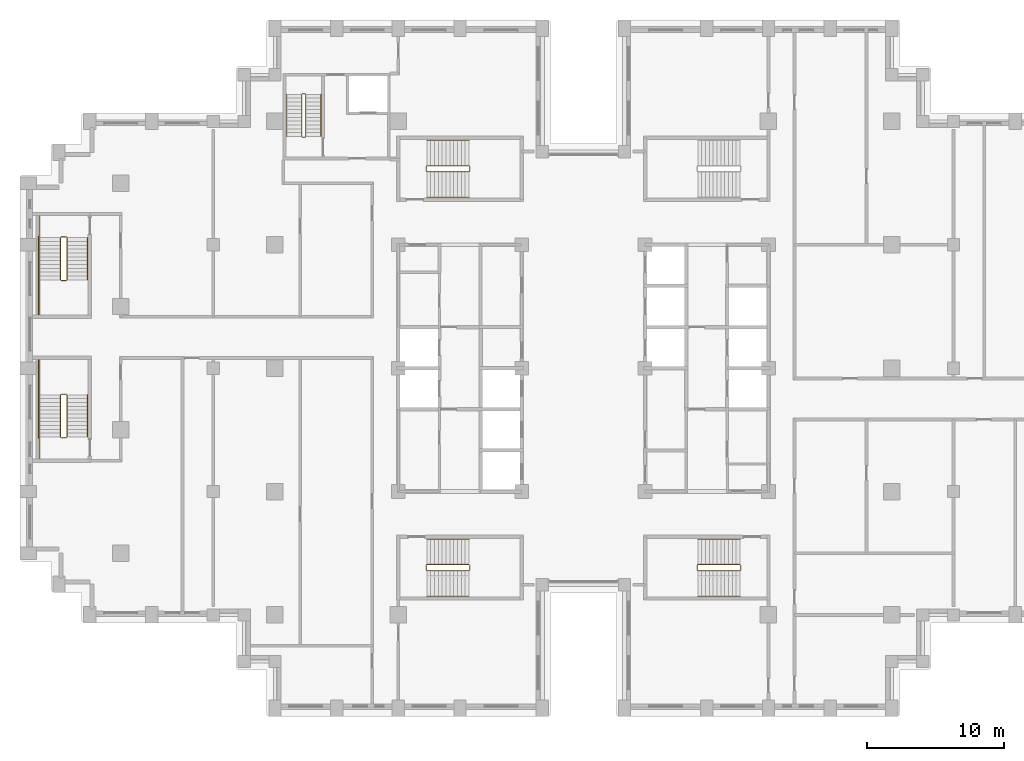
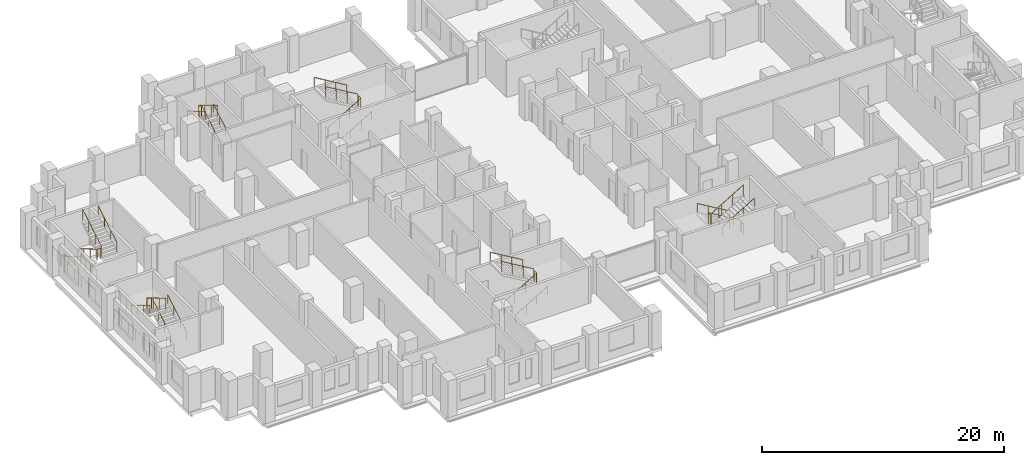
# One storey, part 15 of 16: 6 railings.
"""IFC4 building model written with IfcOpenShell, lengths in metres."""

from ifc_helpers import new_model, si_unit, direction, frame, origin, origin_2d, place, context, subcontext, project, spatial, circle, extrude, material, type_object, element, save


model = new_model("IFC4")

# Units and contexts
model_context = context("Model", 3, precision=1e-05, world=origin(), true_north=direction((0.0, 1.0)))
body_context = subcontext(model_context, "Body", "Model", "MODEL_VIEW")
ifc_project = project(units=[si_unit("LENGTHUNIT", "METRE"), si_unit("AREAUNIT", "SQUARE_METRE"), si_unit("VOLUMEUNIT", "CUBIC_METRE"), si_unit("PLANEANGLEUNIT", "RADIAN"), si_unit("MASSUNIT", "GRAM", prefix="KILO")], contexts=[model_context])

# Site, building, storey
site_placement = place(None, origin())
site = spatial("IfcSite", under=ifc_project, at=site_placement, CompositionType="ELEMENT")
building_placement = place(site_placement, origin())
building = spatial("IfcBuilding", under=site, at=building_placement, Name="Corbelhall Arena Tower", CompositionType="ELEMENT")
storey_placement = place(building_placement, frame((0.0, 0.0, 104.0)))
storey = spatial("IfcBuildingStorey", under=building, at=storey_placement, Name="L18", CompositionType="ELEMENT", Elevation=104.0)

# Railings
ifc_material = material(Name="Steel ASTM A500 Gr C", Category="steel")
railing_type = type_object("IfcRailingType", Name="IN-GD-1100", PredefinedType="GUARDRAIL", material=ifc_material)
railing_1_placement = place(storey_placement, frame((-11.425048828125, 14.324951171875, 0.166748046875)))
element("IfcRailing", 1, at=railing_1_placement, inside=storey, type_object=railing_type, Name="L18 ST1 stair guards and handrails", PredefinedType="GUARDRAIL", context=body_context, shape_type="SweptSolid", body=[
    extrude(circle(Radius=0.02392578125, at=origin_2d()), frame((0.0, 0.0, 1.076171875), z_axis=(0.859308565015, 0.0, 0.511457515432), x_axis=(0.0, 1.0, 0.0)), (0.0, 0.0, 1.0), 3.58447265625),
    extrude(circle(Radius=0.02392578125, at=origin_2d()), frame((3.130126953125, 0.050048828125, 2.9091796875), z_axis=(0.0, 1.0, 0.0), x_axis=(-1.0, 0.0, 0.0)), (0.0, 0.0, 1.0), 0.35009765625),
    extrude(circle(Radius=0.02392578125, at=origin_2d()), frame((3.080078125, 0.449951171875, 3.076171875), z_axis=(-0.859308565015, 0.0, 0.511457515432), x_axis=(0.0, -1.0, 0.0)), (0.0, 0.0, 1.0), 3.58447265625),
    extrude(circle(Radius=0.02392578125, at=origin_2d()), frame((-0.050048828125, 0.050048828125, 0.9091796875), z_axis=(0.0, 1.0, 0.0), x_axis=(-1.0, 0.0, 0.0)), (0.0, 0.0, 1.0), 0.35009765625),
    extrude(circle(Radius=0.02392578125, at=origin_2d()), frame((0.0, -1.849853515625, 0.8759765625), z_axis=(0.859308565015, 0.0, 0.511457515432), x_axis=(0.0, 1.0, 0.0)), (0.0, 0.0, 1.0), 3.58447265625),
    extrude(circle(Radius=0.02392578125, at=origin_2d()), frame((3.080078125, 2.300048828125, 2.8759765625), z_axis=(-0.859308565015, 0.0, 0.511457515432), x_axis=(0.0, -1.0, 0.0)), (0.0, 0.0, 1.0), 3.58447265625),
    extrude(circle(Radius=0.02099609375, at=origin_2d()), origin(), (0.0, 0.0, 1.0), 1.052001953125),
    extrude(circle(Radius=0.02099609375, at=origin_2d()), frame((1.026611328125, 0.0, 0.611083984375)), (0.0, 0.0, 1.0), 1.052001953125),
    extrude(circle(Radius=0.02099609375, at=origin_2d()), frame((2.053466796875, 0.0, 1.22216796875)), (0.0, 0.0, 1.0), 1.052001953125),
    extrude(circle(Radius=0.02099609375, at=origin_2d()), frame((3.080078125, 0.0, 1.833251953125)), (0.0, 0.0, 1.0), 1.052001953125),
    extrude(circle(Radius=0.02099609375, at=origin_2d()), frame((3.130126953125, 0.050048828125, 1.833251953125)), (0.0, 0.0, 1.0), 1.052001953125),
    extrude(circle(Radius=0.02099609375, at=origin_2d()), frame((3.130126953125, 0.400146484375, 1.833251953125)), (0.0, 0.0, 1.0), 1.052001953125),
    extrude(circle(Radius=0.02099609375, at=origin_2d()), frame((3.080078125, 0.449951171875, 2.0)), (0.0, 0.0, 1.0), 1.052001953125),
    extrude(circle(Radius=0.02099609375, at=origin_2d()), frame((2.053466796875, 0.449951171875, 2.611083984375)), (0.0, 0.0, 1.0), 1.052001953125),
    extrude(circle(Radius=0.02099609375, at=origin_2d()), frame((1.026611328125, 0.449951171875, 3.22216796875)), (0.0, 0.0, 1.0), 1.052001953125),
    extrude(circle(Radius=0.02099609375, at=origin_2d()), frame((0.0, 0.449951171875, 3.833251953125)), (0.0, 0.0, 1.0), 1.052001953125),
    extrude(circle(Radius=0.02099609375, at=origin_2d()), frame((-0.050048828125, 0.050048828125, -0.166748046875)), (0.0, 0.0, 1.0), 1.052001953125),
    extrude(circle(Radius=0.02099609375, at=origin_2d()), frame((-0.050048828125, 0.400146484375, -0.166748046875)), (0.0, 0.0, 1.0), 1.052001953125),
    extrude(circle(Radius=0.02099609375, at=origin_2d()), frame((0.0, -1.849853515625, 0.0)), (0.0, 0.0, 1.0), 0.851806640625),
    extrude(circle(Radius=0.02099609375, at=origin_2d()), frame((1.026611328125, -1.849853515625, 0.611083984375)), (0.0, 0.0, 1.0), 0.851806640625),
    extrude(circle(Radius=0.02099609375, at=origin_2d()), frame((2.053466796875, -1.849853515625, 1.22216796875)), (0.0, 0.0, 1.0), 0.851806640625),
    extrude(circle(Radius=0.02099609375, at=origin_2d()), frame((3.080078125, -1.849853515625, 1.833251953125)), (0.0, 0.0, 1.0), 0.851806640625),
    extrude(circle(Radius=0.02099609375, at=origin_2d()), frame((3.080078125, 2.300048828125, 2.0)), (0.0, 0.0, 1.0), 0.851806640625),
    extrude(circle(Radius=0.02099609375, at=origin_2d()), frame((2.053466796875, 2.300048828125, 2.611083984375)), (0.0, 0.0, 1.0), 0.851806640625),
    extrude(circle(Radius=0.02099609375, at=origin_2d()), frame((1.026611328125, 2.300048828125, 3.22216796875)), (0.0, 0.0, 1.0), 0.851806640625),
    extrude(circle(Radius=0.02099609375, at=origin_2d()), frame((0.0, 2.300048828125, 3.833251953125)), (0.0, 0.0, 1.0), 0.851806640625),
])
railing_2_placement = place(storey_placement, frame((-11.425048828125, -14.77490234375, 0.166748046875)))
element("IfcRailing", 2, at=railing_2_placement, inside=storey, type_object=railing_type, Name="L18 ST2 stair guards and handrails", PredefinedType="GUARDRAIL", context=body_context, shape_type="SweptSolid", body=[
    extrude(circle(Radius=0.02392578125, at=origin_2d()), frame((0.0, 0.0, 1.076171875), z_axis=(0.859308565015, 0.0, 0.511457515432), x_axis=(0.0, 1.0, 0.0)), (0.0, 0.0, 1.0), 3.58447265625),
    extrude(circle(Radius=0.02392578125, at=origin_2d()), frame((3.130126953125, 0.0498046875, 2.9091796875), z_axis=(0.0, 1.0, 0.0), x_axis=(-1.0, 0.0, 0.0)), (0.0, 0.0, 1.0), 0.35009765625),
    extrude(circle(Radius=0.02392578125, at=origin_2d()), frame((3.080078125, 0.449951171875, 3.076171875), z_axis=(-0.859308565015, 0.0, 0.511457515432), x_axis=(0.0, -1.0, 0.0)), (0.0, 0.0, 1.0), 3.58447265625),
    extrude(circle(Radius=0.02392578125, at=origin_2d()), frame((-0.050048828125, 0.0498046875, 0.9091796875), z_axis=(0.0, 1.0, 0.0), x_axis=(-1.0, 0.0, 0.0)), (0.0, 0.0, 1.0), 0.35009765625),
    extrude(circle(Radius=0.02392578125, at=origin_2d()), frame((0.0, -1.85009765625, 0.8759765625), z_axis=(0.859308565015, 0.0, 0.511457515432), x_axis=(0.0, 1.0, 0.0)), (0.0, 0.0, 1.0), 3.58447265625),
    extrude(circle(Radius=0.02392578125, at=origin_2d()), frame((3.080078125, 2.2998046875, 2.8759765625), z_axis=(-0.859308565015, 0.0, 0.511457515432), x_axis=(0.0, -1.0, 0.0)), (0.0, 0.0, 1.0), 3.58447265625),
    extrude(circle(Radius=0.02099609375, at=origin_2d()), origin(), (0.0, 0.0, 1.0), 1.052001953125),
    extrude(circle(Radius=0.02099609375, at=origin_2d()), frame((1.026611328125, 0.0, 0.611083984375)), (0.0, 0.0, 1.0), 1.052001953125),
    extrude(circle(Radius=0.02099609375, at=origin_2d()), frame((2.053466796875, 0.0, 1.22216796875)), (0.0, 0.0, 1.0), 1.052001953125),
    extrude(circle(Radius=0.02099609375, at=origin_2d()), frame((3.080078125, 0.0, 1.833251953125)), (0.0, 0.0, 1.0), 1.052001953125),
    extrude(circle(Radius=0.02099609375, at=origin_2d()), frame((3.130126953125, 0.0498046875, 1.833251953125)), (0.0, 0.0, 1.0), 1.052001953125),
    extrude(circle(Radius=0.02099609375, at=origin_2d()), frame((3.130126953125, 0.39990234375, 1.833251953125)), (0.0, 0.0, 1.0), 1.052001953125),
    extrude(circle(Radius=0.02099609375, at=origin_2d()), frame((3.080078125, 0.449951171875, 2.0)), (0.0, 0.0, 1.0), 1.052001953125),
    extrude(circle(Radius=0.02099609375, at=origin_2d()), frame((2.053466796875, 0.449951171875, 2.611083984375)), (0.0, 0.0, 1.0), 1.052001953125),
    extrude(circle(Radius=0.02099609375, at=origin_2d()), frame((1.026611328125, 0.449951171875, 3.22216796875)), (0.0, 0.0, 1.0), 1.052001953125),
    extrude(circle(Radius=0.02099609375, at=origin_2d()), frame((0.0, 0.449951171875, 3.833251953125)), (0.0, 0.0, 1.0), 1.052001953125),
    extrude(circle(Radius=0.02099609375, at=origin_2d()), frame((-0.050048828125, 0.0498046875, -0.166748046875)), (0.0, 0.0, 1.0), 1.052001953125),
    extrude(circle(Radius=0.02099609375, at=origin_2d()), frame((-0.050048828125, 0.39990234375, -0.166748046875)), (0.0, 0.0, 1.0), 1.052001953125),
    extrude(circle(Radius=0.02099609375, at=origin_2d()), frame((0.0, -1.85009765625, 0.0)), (0.0, 0.0, 1.0), 0.851806640625),
    extrude(circle(Radius=0.02099609375, at=origin_2d()), frame((1.026611328125, -1.85009765625, 0.611083984375)), (0.0, 0.0, 1.0), 0.851806640625),
    extrude(circle(Radius=0.02099609375, at=origin_2d()), frame((2.053466796875, -1.85009765625, 1.22216796875)), (0.0, 0.0, 1.0), 0.851806640625),
    extrude(circle(Radius=0.02099609375, at=origin_2d()), frame((3.080078125, -1.85009765625, 1.833251953125)), (0.0, 0.0, 1.0), 0.851806640625),
    extrude(circle(Radius=0.02099609375, at=origin_2d()), frame((3.080078125, 2.2998046875, 2.0)), (0.0, 0.0, 1.0), 0.851806640625),
    extrude(circle(Radius=0.02099609375, at=origin_2d()), frame((2.053466796875, 2.2998046875, 2.611083984375)), (0.0, 0.0, 1.0), 0.851806640625),
    extrude(circle(Radius=0.02099609375, at=origin_2d()), frame((1.026611328125, 2.2998046875, 3.22216796875)), (0.0, 0.0, 1.0), 0.851806640625),
    extrude(circle(Radius=0.02099609375, at=origin_2d()), frame((0.0, 2.2998046875, 3.833251953125)), (0.0, 0.0, 1.0), 0.851806640625),
])
railing_3_placement = place(storey_placement, frame((11.425048828125, -14.324951171875, 0.166748046875)))
element("IfcRailing", 3, at=railing_3_placement, inside=storey, type_object=railing_type, Name="L18 ST4 stair guards and handrails", PredefinedType="GUARDRAIL", context=body_context, shape_type="SweptSolid", body=[
    extrude(circle(Radius=0.02392578125, at=origin_2d()), frame((0.0, 0.0, 1.076171875), z_axis=(-0.859308565015, 0.0, 0.511457515432), x_axis=(0.0, -1.0, 0.0)), (0.0, 0.0, 1.0), 3.58447265625),
    extrude(circle(Radius=0.02392578125, at=origin_2d()), frame((-3.130126953125, -0.050048828125, 2.9091796875), z_axis=(0.0, -1.0, 0.0), x_axis=(1.0, 0.0, 0.0)), (0.0, 0.0, 1.0), 0.35009765625),
    extrude(circle(Radius=0.02392578125, at=origin_2d()), frame((-3.080078125, -0.449951171875, 3.076171875), z_axis=(0.859308565015, 0.0, 0.511457515432), x_axis=(0.0, 1.0, 0.0)), (0.0, 0.0, 1.0), 3.58447265625),
    extrude(circle(Radius=0.02392578125, at=origin_2d()), frame((0.050048828125, -0.050048828125, 0.9091796875), z_axis=(0.0, -1.0, 0.0), x_axis=(1.0, 0.0, 0.0)), (0.0, 0.0, 1.0), 0.35009765625),
    extrude(circle(Radius=0.02392578125, at=origin_2d()), frame((0.0, 1.849853515625, 0.8759765625), z_axis=(-0.859308565015, 0.0, 0.511457515432), x_axis=(0.0, -1.0, 0.0)), (0.0, 0.0, 1.0), 3.58447265625),
    extrude(circle(Radius=0.02392578125, at=origin_2d()), frame((-3.080078125, -2.300048828125, 2.8759765625), z_axis=(0.859308565015, 0.0, 0.511457515432), x_axis=(0.0, 1.0, 0.0)), (0.0, 0.0, 1.0), 3.58447265625),
    extrude(circle(Radius=0.02099609375, at=origin_2d()), origin(), (0.0, 0.0, 1.0), 1.052001953125),
    extrude(circle(Radius=0.02099609375, at=origin_2d()), frame((-1.026611328125, 0.0, 0.611083984375)), (0.0, 0.0, 1.0), 1.052001953125),
    extrude(circle(Radius=0.02099609375, at=origin_2d()), frame((-2.053466796875, 0.0, 1.22216796875)), (0.0, 0.0, 1.0), 1.052001953125),
    extrude(circle(Radius=0.02099609375, at=origin_2d()), frame((-3.080078125, 0.0, 1.833251953125)), (0.0, 0.0, 1.0), 1.052001953125),
    extrude(circle(Radius=0.02099609375, at=origin_2d()), frame((-3.130126953125, -0.050048828125, 1.833251953125)), (0.0, 0.0, 1.0), 1.052001953125),
    extrude(circle(Radius=0.02099609375, at=origin_2d()), frame((-3.130126953125, -0.400146484375, 1.833251953125)), (0.0, 0.0, 1.0), 1.052001953125),
    extrude(circle(Radius=0.02099609375, at=origin_2d()), frame((-3.080078125, -0.449951171875, 2.0)), (0.0, 0.0, 1.0), 1.052001953125),
    extrude(circle(Radius=0.02099609375, at=origin_2d()), frame((-2.053466796875, -0.449951171875, 2.611083984375)), (0.0, 0.0, 1.0), 1.052001953125),
    extrude(circle(Radius=0.02099609375, at=origin_2d()), frame((-1.026611328125, -0.449951171875, 3.22216796875)), (0.0, 0.0, 1.0), 1.052001953125),
    extrude(circle(Radius=0.02099609375, at=origin_2d()), frame((0.0, -0.449951171875, 3.833251953125)), (0.0, 0.0, 1.0), 1.052001953125),
    extrude(circle(Radius=0.02099609375, at=origin_2d()), frame((0.050048828125, -0.050048828125, -0.166748046875)), (0.0, 0.0, 1.0), 1.052001953125),
    extrude(circle(Radius=0.02099609375, at=origin_2d()), frame((0.050048828125, -0.400146484375, -0.166748046875)), (0.0, 0.0, 1.0), 1.052001953125),
    extrude(circle(Radius=0.02099609375, at=origin_2d()), frame((0.0, 1.849853515625, 0.0)), (0.0, 0.0, 1.0), 0.851806640625),
    extrude(circle(Radius=0.02099609375, at=origin_2d()), frame((-1.026611328125, 1.849853515625, 0.611083984375)), (0.0, 0.0, 1.0), 0.851806640625),
    extrude(circle(Radius=0.02099609375, at=origin_2d()), frame((-2.053466796875, 1.849853515625, 1.22216796875)), (0.0, 0.0, 1.0), 0.851806640625),
    extrude(circle(Radius=0.02099609375, at=origin_2d()), frame((-3.080078125, 1.849853515625, 1.833251953125)), (0.0, 0.0, 1.0), 0.851806640625),
    extrude(circle(Radius=0.02099609375, at=origin_2d()), frame((-3.080078125, -2.300048828125, 2.0)), (0.0, 0.0, 1.0), 0.851806640625),
    extrude(circle(Radius=0.02099609375, at=origin_2d()), frame((-2.053466796875, -2.300048828125, 2.611083984375)), (0.0, 0.0, 1.0), 0.851806640625),
    extrude(circle(Radius=0.02099609375, at=origin_2d()), frame((-1.026611328125, -2.300048828125, 3.22216796875)), (0.0, 0.0, 1.0), 0.851806640625),
    extrude(circle(Radius=0.02099609375, at=origin_2d()), frame((0.0, -2.300048828125, 3.833251953125)), (0.0, 0.0, 1.0), 0.851806640625),
])
railing_4_placement = place(storey_placement, frame((-38.14990234375, 9.52490234375, 0.166748046875)))
element("IfcRailing", 4, at=railing_4_placement, inside=storey, type_object=railing_type, Name="L18 SC1 stair guards and handrails", PredefinedType="GUARDRAIL", context=body_context, shape_type="SweptSolid", body=[
    extrude(circle(Radius=0.02392578125, at=origin_2d()), frame((0.0, 0.0, 1.076171875), z_axis=(0.0, -0.859290745958, 0.51148745235), x_axis=(1.0, 0.0, 0.0)), (0.0, 0.0, 1.0), 3.584228515625),
    extrude(circle(Radius=0.02392578125, at=origin_2d()), frame((0.0498046875, -3.1298828125, 2.9091796875), z_axis=(1.0, 0.0, 0.0), x_axis=(0.0, 1.0, 0.0)), (0.0, 0.0, 1.0), 0.375),
    extrude(circle(Radius=0.02392578125, at=origin_2d()), frame((-1.5, -3.079833984375, 2.9091796875), z_axis=(0.0, -1.0, 0.0), x_axis=(1.0, 0.0, 0.0)), (0.0, 0.0, 1.0), 2.570068359375),
    extrude(circle(Radius=0.02392578125, at=origin_2d()), frame((0.474853515625, -3.079833984375, 3.076171875), z_axis=(0.0, 0.859290745958, 0.51148745235), x_axis=(-1.0, 0.0, 0.0)), (0.0, 0.0, 1.0), 3.584228515625),
    extrude(circle(Radius=0.02392578125, at=origin_2d()), frame((0.0498046875, 0.050048828125, 0.9091796875), z_axis=(1.0, 0.0, 0.0), x_axis=(0.0, 1.0, 0.0)), (0.0, 0.0, 1.0), 0.375),
    extrude(circle(Radius=0.02392578125, at=origin_2d()), frame((-1.5, 1.60009765625, 0.9091796875), z_axis=(0.0, -1.0, 0.0), x_axis=(1.0, 0.0, 0.0)), (0.0, 0.0, 1.0), 1.60009765625),
    extrude(circle(Radius=0.02392578125, at=origin_2d()), frame((-1.60009765625, 0.10009765625, 0.9091796875), z_axis=(0.0, -1.0, 0.0), x_axis=(1.0, 0.0, 0.0)), (0.0, 0.0, 1.0), 5.85009765625),
    extrude(circle(Radius=0.02392578125, at=origin_2d()), frame((-1.5, 0.0, 0.8759765625), z_axis=(0.0, -0.859290745958, 0.51148745235), x_axis=(1.0, 0.0, 0.0)), (0.0, 0.0, 1.0), 3.584228515625),
    extrude(circle(Radius=0.02392578125, at=origin_2d()), frame((1.974853515625, -3.079833984375, 2.8759765625), z_axis=(0.0, 0.859290745958, 0.51148745235), x_axis=(-1.0, 0.0, 0.0)), (0.0, 0.0, 1.0), 3.584228515625),
    extrude(circle(Radius=0.02099609375, at=origin_2d()), origin(), (0.0, 0.0, 1.0), 1.052001953125),
    extrude(circle(Radius=0.02099609375, at=origin_2d()), frame((0.0, -1.026611328125, 0.611083984375)), (0.0, 0.0, 1.0), 1.052001953125),
    extrude(circle(Radius=0.02099609375, at=origin_2d()), frame((0.0, -2.05322265625, 1.22216796875)), (0.0, 0.0, 1.0), 1.052001953125),
    extrude(circle(Radius=0.02099609375, at=origin_2d()), frame((0.0, -3.079833984375, 1.833251953125)), (0.0, 0.0, 1.0), 1.052001953125),
    extrude(circle(Radius=0.02099609375, at=origin_2d()), frame((0.0498046875, -3.1298828125, 1.833251953125)), (0.0, 0.0, 1.0), 1.052001953125),
    extrude(circle(Radius=0.02099609375, at=origin_2d()), frame((0.4248046875, -3.1298828125, 1.833251953125)), (0.0, 0.0, 1.0), 1.052001953125),
    extrude(circle(Radius=0.02099609375, at=origin_2d()), frame((-1.5, -3.079833984375, 1.833251953125)), (0.0, 0.0, 1.0), 1.052001953125),
    extrude(circle(Radius=0.02099609375, at=origin_2d()), frame((-1.5, -3.9365234375, 1.833251953125)), (0.0, 0.0, 1.0), 1.052001953125),
    extrude(circle(Radius=0.02099609375, at=origin_2d()), frame((-1.5, -4.793212890625, 1.833251953125)), (0.0, 0.0, 1.0), 1.052001953125),
    extrude(circle(Radius=0.02099609375, at=origin_2d()), frame((-1.5, -5.64990234375, 1.833251953125)), (0.0, 0.0, 1.0), 1.052001953125),
    extrude(circle(Radius=0.02099609375, at=origin_2d()), frame((0.474853515625, -3.079833984375, 2.0)), (0.0, 0.0, 1.0), 1.052001953125),
    extrude(circle(Radius=0.02099609375, at=origin_2d()), frame((0.474853515625, -2.05322265625, 2.611083984375)), (0.0, 0.0, 1.0), 1.052001953125),
    extrude(circle(Radius=0.02099609375, at=origin_2d()), frame((0.474853515625, -1.026611328125, 3.22216796875)), (0.0, 0.0, 1.0), 1.052001953125),
    extrude(circle(Radius=0.02099609375, at=origin_2d()), frame((0.474853515625, 0.0, 3.833251953125)), (0.0, 0.0, 1.0), 1.052001953125),
    extrude(circle(Radius=0.02099609375, at=origin_2d()), frame((0.0498046875, 0.050048828125, -0.166748046875)), (0.0, 0.0, 1.0), 1.052001953125),
    extrude(circle(Radius=0.02099609375, at=origin_2d()), frame((0.4248046875, 0.050048828125, -0.166748046875)), (0.0, 0.0, 1.0), 1.052001953125),
    extrude(circle(Radius=0.02099609375, at=origin_2d()), frame((-1.5, 1.60009765625, -0.166748046875)), (0.0, 0.0, 1.0), 1.052001953125),
    extrude(circle(Radius=0.02099609375, at=origin_2d()), frame((-1.5, 0.800048828125, -0.166748046875)), (0.0, 0.0, 1.0), 1.052001953125),
    extrude(circle(Radius=0.02099609375, at=origin_2d()), frame((-1.5, 0.0, -0.166748046875)), (0.0, 0.0, 1.0), 1.052001953125),
    extrude(circle(Radius=0.02099609375, at=origin_2d()), frame((-1.60009765625, 0.10009765625, -0.166748046875)), (0.0, 0.0, 1.0), 1.052001953125),
    extrude(circle(Radius=0.02099609375, at=origin_2d()), frame((-1.60009765625, -1.06982421875, -0.166748046875)), (0.0, 0.0, 1.0), 1.052001953125),
    extrude(circle(Radius=0.02099609375, at=origin_2d()), frame((-1.60009765625, -2.239990234375, -0.166748046875)), (0.0, 0.0, 1.0), 1.052001953125),
    extrude(circle(Radius=0.02099609375, at=origin_2d()), frame((-1.60009765625, -3.409912109375, -0.166748046875)), (0.0, 0.0, 1.0), 1.052001953125),
    extrude(circle(Radius=0.02099609375, at=origin_2d()), frame((-1.60009765625, -4.580078125, -0.166748046875)), (0.0, 0.0, 1.0), 1.052001953125),
    extrude(circle(Radius=0.02099609375, at=origin_2d()), frame((-1.60009765625, -5.75, -0.166748046875)), (0.0, 0.0, 1.0), 1.052001953125),
    extrude(circle(Radius=0.02099609375, at=origin_2d()), frame((-1.5, 0.0, 0.0)), (0.0, 0.0, 1.0), 0.851806640625),
    extrude(circle(Radius=0.02099609375, at=origin_2d()), frame((-1.5, -1.026611328125, 0.611083984375)), (0.0, 0.0, 1.0), 0.851806640625),
    extrude(circle(Radius=0.02099609375, at=origin_2d()), frame((-1.5, -2.05322265625, 1.22216796875)), (0.0, 0.0, 1.0), 0.851806640625),
    extrude(circle(Radius=0.02099609375, at=origin_2d()), frame((1.974853515625, -3.079833984375, 2.0)), (0.0, 0.0, 1.0), 0.851806640625),
    extrude(circle(Radius=0.02099609375, at=origin_2d()), frame((1.974853515625, -2.05322265625, 2.611083984375)), (0.0, 0.0, 1.0), 0.851806640625),
    extrude(circle(Radius=0.02099609375, at=origin_2d()), frame((1.974853515625, -1.026611328125, 3.22216796875)), (0.0, 0.0, 1.0), 0.851806640625),
    extrude(circle(Radius=0.02099609375, at=origin_2d()), frame((1.974853515625, 0.0, 3.833251953125)), (0.0, 0.0, 1.0), 0.851806640625),
])
railing_5_placement = place(storey_placement, frame((-37.675048828125, -5.02490234375, 0.166748046875)))
element("IfcRailing", 5, at=railing_5_placement, inside=storey, type_object=railing_type, Name="L18 SC2 stair guards and handrails", PredefinedType="GUARDRAIL", context=body_context, shape_type="SweptSolid", body=[
    extrude(circle(Radius=0.02392578125, at=origin_2d()), frame((0.0, 0.0, 1.076171875), z_axis=(0.0, 0.859290745958, 0.51148745235), x_axis=(-1.0, 0.0, 0.0)), (0.0, 0.0, 1.0), 3.584228515625),
    extrude(circle(Radius=0.02392578125, at=origin_2d()), frame((-0.050048828125, 3.1298828125, 2.9091796875), z_axis=(-1.0, 0.0, 0.0), x_axis=(0.0, -1.0, 0.0)), (0.0, 0.0, 1.0), 0.375),
    extrude(circle(Radius=0.02392578125, at=origin_2d()), frame((-1.974853515625, 3.079833984375, 2.9091796875), z_axis=(0.0, 1.0, 0.0), x_axis=(-1.0, 0.0, 0.0)), (0.0, 0.0, 1.0), 2.570068359375),
    extrude(circle(Radius=0.02392578125, at=origin_2d()), frame((-0.474853515625, 3.079833984375, 3.076171875), z_axis=(0.0, -0.859290745958, 0.51148745235), x_axis=(1.0, 0.0, 0.0)), (0.0, 0.0, 1.0), 3.584228515625),
    extrude(circle(Radius=0.02392578125, at=origin_2d()), frame((-0.050048828125, -0.050048828125, 0.9091796875), z_axis=(-1.0, 0.0, 0.0), x_axis=(0.0, -1.0, 0.0)), (0.0, 0.0, 1.0), 0.375),
    extrude(circle(Radius=0.02392578125, at=origin_2d()), frame((-1.974853515625, -1.60009765625, 0.9091796875), z_axis=(0.0, 1.0, 0.0), x_axis=(-1.0, 0.0, 0.0)), (0.0, 0.0, 1.0), 1.60009765625),
    extrude(circle(Radius=0.02392578125, at=origin_2d()), frame((-2.074951171875, -0.10009765625, 0.9091796875), z_axis=(0.0, 1.0, 0.0), x_axis=(-1.0, 0.0, 0.0)), (0.0, 0.0, 1.0), 5.85009765625),
    extrude(circle(Radius=0.02392578125, at=origin_2d()), frame((1.5, 0.0, 0.8759765625), z_axis=(0.0, 0.859290745958, 0.51148745235), x_axis=(-1.0, 0.0, 0.0)), (0.0, 0.0, 1.0), 3.584228515625),
    extrude(circle(Radius=0.02392578125, at=origin_2d()), frame((-1.974853515625, 3.079833984375, 2.8759765625), z_axis=(0.0, -0.859290745958, 0.51148745235), x_axis=(1.0, 0.0, 0.0)), (0.0, 0.0, 1.0), 3.584228515625),
    extrude(circle(Radius=0.02099609375, at=origin_2d()), origin(), (0.0, 0.0, 1.0), 1.052001953125),
    extrude(circle(Radius=0.02099609375, at=origin_2d()), frame((0.0, 1.026611328125, 0.611083984375)), (0.0, 0.0, 1.0), 1.052001953125),
    extrude(circle(Radius=0.02099609375, at=origin_2d()), frame((0.0, 2.05322265625, 1.22216796875)), (0.0, 0.0, 1.0), 1.052001953125),
    extrude(circle(Radius=0.02099609375, at=origin_2d()), frame((0.0, 3.079833984375, 1.833251953125)), (0.0, 0.0, 1.0), 1.052001953125),
    extrude(circle(Radius=0.02099609375, at=origin_2d()), frame((-0.050048828125, 3.1298828125, 1.833251953125)), (0.0, 0.0, 1.0), 1.052001953125),
    extrude(circle(Radius=0.02099609375, at=origin_2d()), frame((-0.425048828125, 3.1298828125, 1.833251953125)), (0.0, 0.0, 1.0), 1.052001953125),
    extrude(circle(Radius=0.02099609375, at=origin_2d()), frame((-1.974853515625, 3.079833984375, 1.833251953125)), (0.0, 0.0, 1.0), 1.052001953125),
    extrude(circle(Radius=0.02099609375, at=origin_2d()), frame((-1.974853515625, 3.9365234375, 1.833251953125)), (0.0, 0.0, 1.0), 1.052001953125),
    extrude(circle(Radius=0.02099609375, at=origin_2d()), frame((-1.974853515625, 4.793212890625, 1.833251953125)), (0.0, 0.0, 1.0), 1.052001953125),
    extrude(circle(Radius=0.02099609375, at=origin_2d()), frame((-1.974853515625, 5.64990234375, 1.833251953125)), (0.0, 0.0, 1.0), 1.052001953125),
    extrude(circle(Radius=0.02099609375, at=origin_2d()), frame((-0.474853515625, 3.079833984375, 2.0)), (0.0, 0.0, 1.0), 1.052001953125),
    extrude(circle(Radius=0.02099609375, at=origin_2d()), frame((-0.474853515625, 2.05322265625, 2.611083984375)), (0.0, 0.0, 1.0), 1.052001953125),
    extrude(circle(Radius=0.02099609375, at=origin_2d()), frame((-0.474853515625, 1.026611328125, 3.22216796875)), (0.0, 0.0, 1.0), 1.052001953125),
    extrude(circle(Radius=0.02099609375, at=origin_2d()), frame((-0.474853515625, 0.0, 3.833251953125)), (0.0, 0.0, 1.0), 1.052001953125),
    extrude(circle(Radius=0.02099609375, at=origin_2d()), frame((-0.050048828125, -0.050048828125, -0.166748046875)), (0.0, 0.0, 1.0), 1.052001953125),
    extrude(circle(Radius=0.02099609375, at=origin_2d()), frame((-0.425048828125, -0.050048828125, -0.166748046875)), (0.0, 0.0, 1.0), 1.052001953125),
    extrude(circle(Radius=0.02099609375, at=origin_2d()), frame((-1.974853515625, -1.60009765625, -0.166748046875)), (0.0, 0.0, 1.0), 1.052001953125),
    extrude(circle(Radius=0.02099609375, at=origin_2d()), frame((-1.974853515625, -0.800048828125, -0.166748046875)), (0.0, 0.0, 1.0), 1.052001953125),
    extrude(circle(Radius=0.02099609375, at=origin_2d()), frame((-1.974853515625, 0.0, -0.166748046875)), (0.0, 0.0, 1.0), 1.052001953125),
    extrude(circle(Radius=0.02099609375, at=origin_2d()), frame((-2.074951171875, -0.10009765625, -0.166748046875)), (0.0, 0.0, 1.0), 1.052001953125),
    extrude(circle(Radius=0.02099609375, at=origin_2d()), frame((-2.074951171875, 1.06982421875, -0.166748046875)), (0.0, 0.0, 1.0), 1.052001953125),
    extrude(circle(Radius=0.02099609375, at=origin_2d()), frame((-2.074951171875, 2.239990234375, -0.166748046875)), (0.0, 0.0, 1.0), 1.052001953125),
    extrude(circle(Radius=0.02099609375, at=origin_2d()), frame((-2.074951171875, 3.409912109375, -0.166748046875)), (0.0, 0.0, 1.0), 1.052001953125),
    extrude(circle(Radius=0.02099609375, at=origin_2d()), frame((-2.074951171875, 4.580078125, -0.166748046875)), (0.0, 0.0, 1.0), 1.052001953125),
    extrude(circle(Radius=0.02099609375, at=origin_2d()), frame((-2.074951171875, 5.75, -0.166748046875)), (0.0, 0.0, 1.0), 1.052001953125),
    extrude(circle(Radius=0.02099609375, at=origin_2d()), frame((1.5, 0.0, 0.0)), (0.0, 0.0, 1.0), 0.851806640625),
    extrude(circle(Radius=0.02099609375, at=origin_2d()), frame((1.5, 1.026611328125, 0.611083984375)), (0.0, 0.0, 1.0), 0.851806640625),
    extrude(circle(Radius=0.02099609375, at=origin_2d()), frame((1.5, 2.05322265625, 1.22216796875)), (0.0, 0.0, 1.0), 0.851806640625),
    extrude(circle(Radius=0.02099609375, at=origin_2d()), frame((1.5, 3.079833984375, 1.833251953125)), (0.0, 0.0, 1.0), 0.851806640625),
    extrude(circle(Radius=0.02099609375, at=origin_2d()), frame((-1.974853515625, 3.079833984375, 2.0)), (0.0, 0.0, 1.0), 0.851806640625),
    extrude(circle(Radius=0.02099609375, at=origin_2d()), frame((-1.974853515625, 2.05322265625, 2.611083984375)), (0.0, 0.0, 1.0), 0.851806640625),
    extrude(circle(Radius=0.02099609375, at=origin_2d()), frame((-1.974853515625, 1.026611328125, 3.22216796875)), (0.0, 0.0, 1.0), 0.851806640625),
    extrude(circle(Radius=0.02099609375, at=origin_2d()), frame((-1.974853515625, 0.0, 3.833251953125)), (0.0, 0.0, 1.0), 0.851806640625),
])
railing_6_placement = place(storey_placement, frame((-20.2451171875, 16.89990234375, 0.166748046875)))
element("IfcRailing", 6, at=railing_6_placement, inside=storey, type_object=railing_type, Name="L18 ST5 stair guards and handrails", PredefinedType="GUARDRAIL", context=body_context, shape_type="SweptSolid", body=[
    extrude(circle(Radius=0.02392578125, at=origin_2d()), frame((0.0, 0.0, 1.076171875), z_axis=(0.0, 0.859308565015, 0.511457515432), x_axis=(-1.0, 0.0, 0.0)), (0.0, 0.0, 1.0), 3.58447265625),
    extrude(circle(Radius=0.02392578125, at=origin_2d()), frame((-0.0498046875, 3.130126953125, 2.9091796875), z_axis=(-1.0, 0.0, 0.0), x_axis=(0.0, -1.0, 0.0)), (0.0, 0.0, 1.0), 0.2001953125),
    extrude(circle(Radius=0.02392578125, at=origin_2d()), frame((-0.2998046875, 3.080078125, 3.076171875), z_axis=(0.0, -0.859308565015, 0.511457515432), x_axis=(1.0, 0.0, 0.0)), (0.0, 0.0, 1.0), 3.58447265625),
    extrude(circle(Radius=0.02392578125, at=origin_2d()), frame((-0.0498046875, -0.0498046875, 0.9091796875), z_axis=(-1.0, 0.0, 0.0), x_axis=(0.0, -1.0, 0.0)), (0.0, 0.0, 1.0), 0.2001953125),
    extrude(circle(Radius=0.02392578125, at=origin_2d()), frame((1.10009765625, 0.0, 0.8759765625), z_axis=(0.0, 0.859308565015, 0.511457515432), x_axis=(-1.0, 0.0, 0.0)), (0.0, 0.0, 1.0), 3.58447265625),
    extrude(circle(Radius=0.02392578125, at=origin_2d()), frame((-1.39990234375, 3.080078125, 2.8759765625), z_axis=(0.0, -0.859308565015, 0.511457515432), x_axis=(1.0, 0.0, 0.0)), (0.0, 0.0, 1.0), 3.58447265625),
    extrude(circle(Radius=0.02099609375, at=origin_2d()), origin(), (0.0, 0.0, 1.0), 1.052001953125),
    extrude(circle(Radius=0.02099609375, at=origin_2d()), frame((0.0, 1.026611328125, 0.611083984375)), (0.0, 0.0, 1.0), 1.052001953125),
    extrude(circle(Radius=0.02099609375, at=origin_2d()), frame((0.0, 2.053466796875, 1.22216796875)), (0.0, 0.0, 1.0), 1.052001953125),
    extrude(circle(Radius=0.02099609375, at=origin_2d()), frame((0.0, 3.080078125, 1.833251953125)), (0.0, 0.0, 1.0), 1.052001953125),
    extrude(circle(Radius=0.02099609375, at=origin_2d()), frame((-0.0498046875, 3.130126953125, 1.833251953125)), (0.0, 0.0, 1.0), 1.052001953125),
    extrude(circle(Radius=0.02099609375, at=origin_2d()), frame((-0.25, 3.130126953125, 1.833251953125)), (0.0, 0.0, 1.0), 1.052001953125),
    extrude(circle(Radius=0.02099609375, at=origin_2d()), frame((-0.2998046875, 3.080078125, 2.0)), (0.0, 0.0, 1.0), 1.052001953125),
    extrude(circle(Radius=0.02099609375, at=origin_2d()), frame((-0.2998046875, 2.053466796875, 2.611083984375)), (0.0, 0.0, 1.0), 1.052001953125),
    extrude(circle(Radius=0.02099609375, at=origin_2d()), frame((-0.2998046875, 1.026611328125, 3.22216796875)), (0.0, 0.0, 1.0), 1.052001953125),
    extrude(circle(Radius=0.02099609375, at=origin_2d()), frame((-0.2998046875, 0.0, 3.833251953125)), (0.0, 0.0, 1.0), 1.052001953125),
    extrude(circle(Radius=0.02099609375, at=origin_2d()), frame((-0.0498046875, -0.0498046875, -0.166748046875)), (0.0, 0.0, 1.0), 1.052001953125),
    extrude(circle(Radius=0.02099609375, at=origin_2d()), frame((-0.25, -0.0498046875, -0.166748046875)), (0.0, 0.0, 1.0), 1.052001953125),
    extrude(circle(Radius=0.02099609375, at=origin_2d()), frame((1.10009765625, 0.0, 0.0)), (0.0, 0.0, 1.0), 0.851806640625),
    extrude(circle(Radius=0.02099609375, at=origin_2d()), frame((1.10009765625, 1.026611328125, 0.611083984375)), (0.0, 0.0, 1.0), 0.851806640625),
    extrude(circle(Radius=0.02099609375, at=origin_2d()), frame((1.10009765625, 2.053466796875, 1.22216796875)), (0.0, 0.0, 1.0), 0.851806640625),
    extrude(circle(Radius=0.02099609375, at=origin_2d()), frame((1.10009765625, 3.080078125, 1.833251953125)), (0.0, 0.0, 1.0), 0.851806640625),
    extrude(circle(Radius=0.02099609375, at=origin_2d()), frame((-1.39990234375, 3.080078125, 2.0)), (0.0, 0.0, 1.0), 0.851806640625),
    extrude(circle(Radius=0.02099609375, at=origin_2d()), frame((-1.39990234375, 2.053466796875, 2.611083984375)), (0.0, 0.0, 1.0), 0.851806640625),
    extrude(circle(Radius=0.02099609375, at=origin_2d()), frame((-1.39990234375, 1.026611328125, 3.22216796875)), (0.0, 0.0, 1.0), 0.851806640625),
    extrude(circle(Radius=0.02099609375, at=origin_2d()), frame((-1.39990234375, 0.0, 3.833251953125)), (0.0, 0.0, 1.0), 0.851806640625),
])

save(model, "model.ifc")
